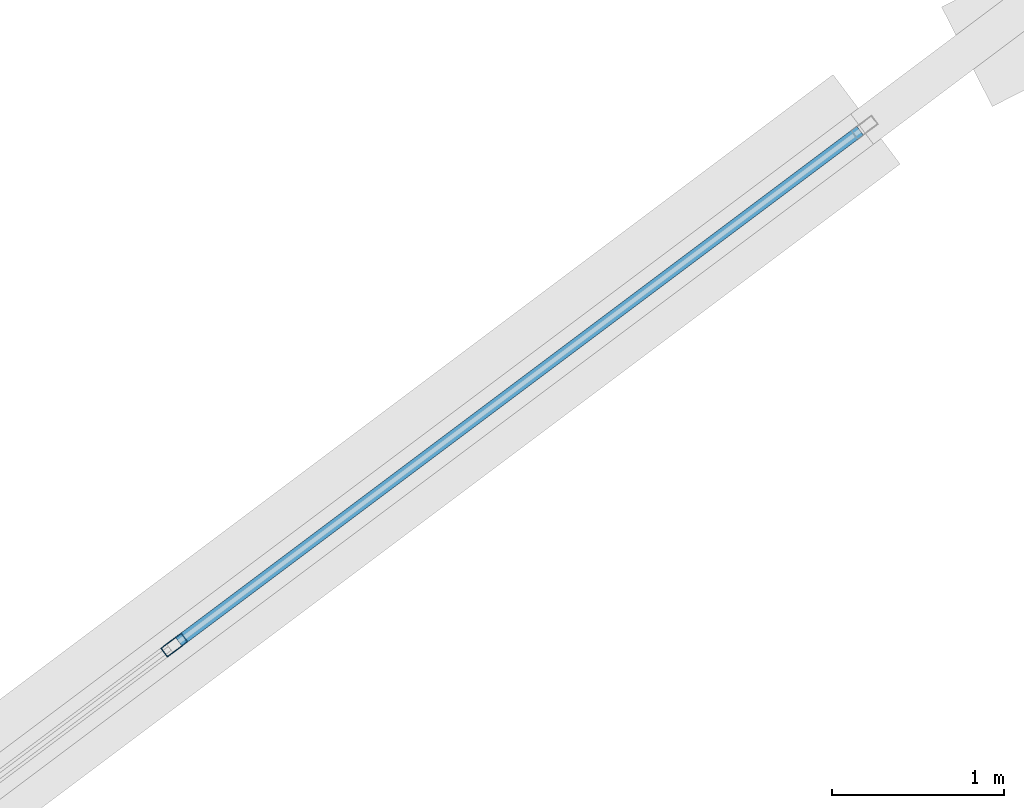
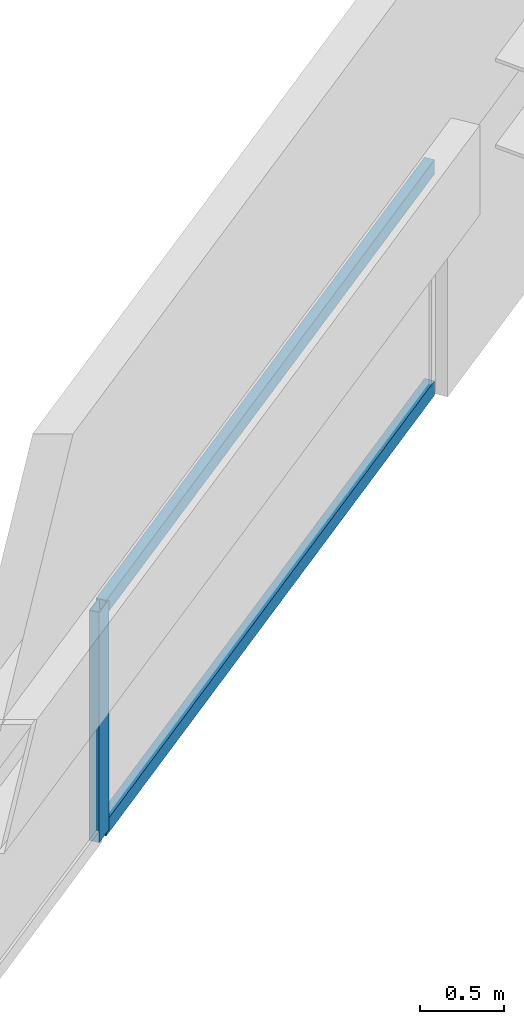
# One storey, part 20 of 31: 3 members, 1 element without a shape of its own.
"""IFC4 building model written with IfcOpenShell, lengths in metres."""

from ifc_helpers import new_model, si_unit, direction, frame, origin, origin_2d, place, context, subcontext, project, spatial, hollow_rectangle, extrude, material, material_profile, profile_set, type_object, element, aggregate, save


model = new_model("IFC4")

# Units and contexts
model_context = context("Model", 3, precision=1e-05, world=origin(), true_north=direction((0.0, 1.0)))
body_context = subcontext(model_context, "Body", "Model", "MODEL_VIEW")
ifc_project = project(units=[si_unit("LENGTHUNIT", "METRE"), si_unit("AREAUNIT", "SQUARE_METRE"), si_unit("VOLUMEUNIT", "CUBIC_METRE"), si_unit("PLANEANGLEUNIT", "RADIAN"), si_unit("MASSUNIT", "GRAM", prefix="KILO")], contexts=[model_context])

# Site, building, storey
site_placement = place(None, origin())
site = spatial("IfcSite", under=ifc_project, at=site_placement, CompositionType="ELEMENT")
building_placement = place(site_placement, origin())
building = spatial("IfcBuilding", under=site, at=building_placement, Name="Tashvorn Skyway Center", CompositionType="ELEMENT")
storey_placement = place(building_placement, frame((0.0, 0.0, 266.949951171875)))
storey = spatial("IfcBuildingStorey", under=building, at=storey_placement, Name="L72", CompositionType="ELEMENT", Elevation=266.949951171875)

# Curtain wall, members
ifc_material = material(Name="Thermally broken bronze-anodized aluminium 6063-T6", Category="aluminium")
curtain_wall_type = type_object("IfcCurtainWallType", Name="CW-CW-SKY", PredefinedType="NOTDEFINED", material=ifc_material)
curtain_wall_placement = place(storey_placement, origin())
curtain_wall = element("IfcCurtainWall", 1, at=curtain_wall_placement, inside=storey, type_object=curtain_wall_type, Name="CROWN Lantern Fritted Curtain Wall T2 N-4", PredefinedType="NOTDEFINED")
ifc_material_profile_1 = material_profile(ifc_material, hollow_rectangle(XDim=0.06494140625, YDim=0.14990234375, WallThickness=0.00390625, at=origin_2d()), Name="ALU-MULL-65x150")
ifc_profile_set_1 = profile_set([ifc_material_profile_1], Name="Thermally broken bronze-anodized aluminium 6063-T6")
member_type_1 = type_object("IfcMemberType", Name="CWM-CW-SKY", PredefinedType="MULLION", material=ifc_profile_set_1)
member_1_placement = place(storey_placement, frame((105.7080078125, 43.055908203125, 1.445068359375), z_axis=(0.0, 0.0, 1.0), x_axis=(-0.600000000002, 0.799999999998, 0.0)))
member_1 = element("IfcMember", 2, at=member_1_placement, type_object=member_type_1, Name="CW-SKY mullion 2", PredefinedType="MULLION", context=body_context, shape_type="SweptSolid", body=[
    extrude(hollow_rectangle(XDim=0.06494140625, YDim=0.14990234375, WallThickness=0.00390625, at=origin_2d()), origin(), (0.0, 0.0, 1.0), 1.6650390625),
])
ifc_material_profile_2 = material_profile(ifc_material, hollow_rectangle(XDim=0.06494140625, YDim=0.10498046875, WallThickness=0.00390625, at=origin_2d()), Name="ALU-TRAN-65x105")
ifc_profile_set_2 = profile_set([ifc_material_profile_2], Name="Thermally broken bronze-anodized aluminium 6063-T6")
member_type_2 = type_object("IfcMemberType", Name="CWT-CW-SKY", PredefinedType="USERDEFINED", material=ifc_profile_set_2)
member_2_placement = place(storey_placement, frame((105.73388671875, 43.075439453125, 1.4775390625), z_axis=(0.799994084668, 0.600007887028, 0.0), x_axis=(-0.600007887028, 0.799994084668, 0.0)))
member_2 = element("IfcMember", 3, at=member_2_placement, type_object=member_type_2, Name="CW-SKY transom 2.1", ObjectType="TRANSOM", PredefinedType="USERDEFINED", context=body_context, shape_type="SweptSolid", body=[
    extrude(hollow_rectangle(XDim=0.06494140625, YDim=0.10498046875, WallThickness=0.00390625, at=origin_2d()), origin(), (0.0, 0.0, 1.0), 4.95263671875),
])
member_3_placement = place(storey_placement, frame((105.73388671875, 43.075439453125, 3.07763671875), z_axis=(0.799994084668, 0.600007887028, 0.0), x_axis=(-0.600007887028, 0.799994084668, 0.0)))
member_3 = element("IfcMember", 4, at=member_3_placement, type_object=member_type_2, Name="CW-SKY transom 2.2", ObjectType="TRANSOM", PredefinedType="USERDEFINED", context=body_context, shape_type="SweptSolid", body=[
    extrude(hollow_rectangle(XDim=0.06494140625, YDim=0.10498046875, WallThickness=0.00390625, at=origin_2d()), origin(), (0.0, 0.0, 1.0), 4.95263671875),
])
aggregate(curtain_wall, [member_1, member_2, member_3])

save(model, "model.ifc")
